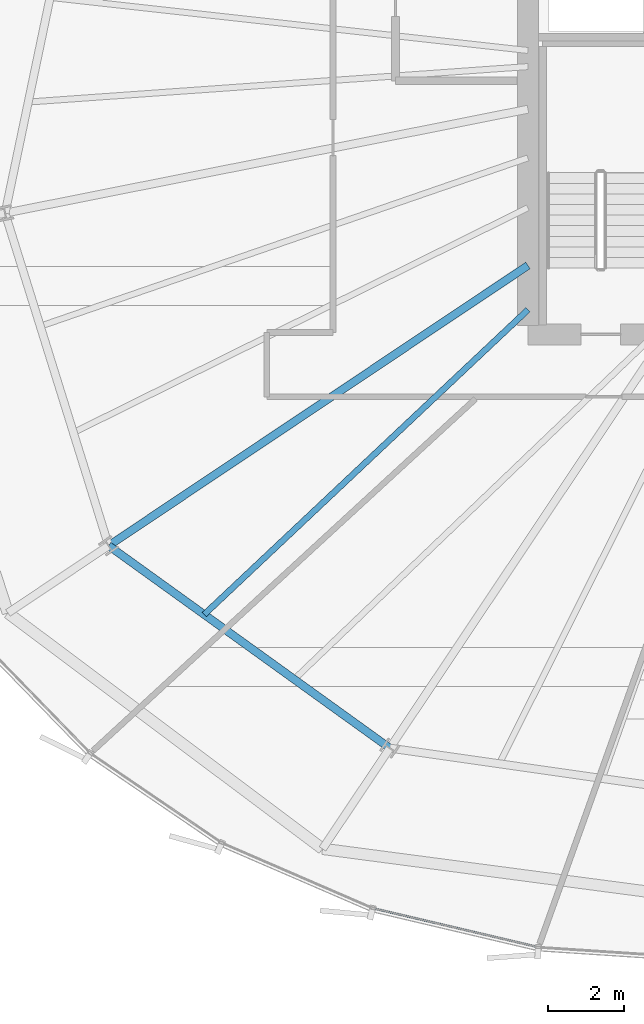
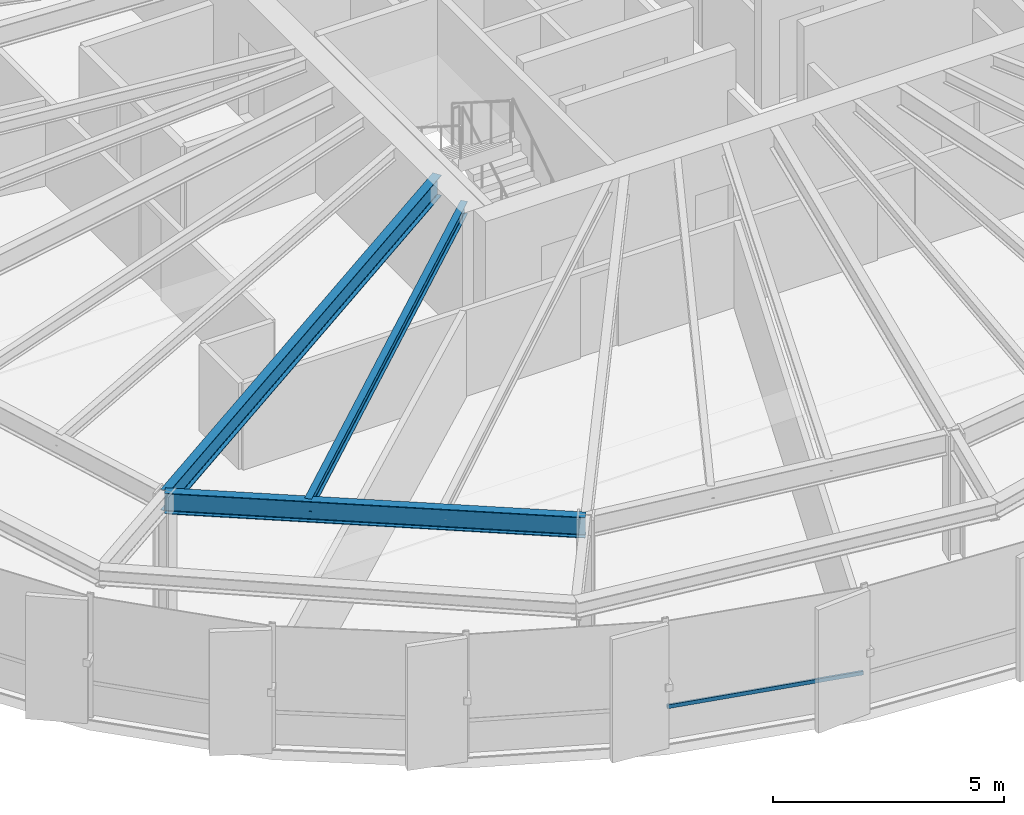
# One storey, part 4 of 35: 3 beams, 1 member, 1 element without a shape of its own.
"""IFC4 building model written with IfcOpenShell, lengths in metres."""

import ifcopenshell
import ifcopenshell.guid

model = None  # the IFC model being written
_history = None  # IfcOwnerHistory: only IFC2X3 demands one
_inside = {}  # id of a spatial element -> (the spatial element, [elements in it])
_under = {}  # id of a project, library or spatial element -> (it, [spatial elements below it])
_declared = {}  # id of a project -> (the project, [libraries it declares])
_typed = {}  # id of a type object -> (the type object, [elements of that type])
_made_of = {}  # id of a material, layer set ... -> (it, [elements and type objects made of it])


def new_model(schema):
    """Start an empty IFC model of exactly this schema.

    Asked for "IFC4X3", IfcOpenShell would pick the latest addendum, in which some entities
    have other attributes; the version numbers below select the first issue.
    IFC2X3 requires an IfcOwnerHistory on every rooted entity: one is made here for all.
    """
    global model, _history
    if schema == "IFC4X3":
        model = ifcopenshell.file(schema_version=(4, 3, 0, 0))
    else:
        model = ifcopenshell.file(schema=schema)
    _inside.clear()
    _under.clear()
    _declared.clear()
    _typed.clear()
    _made_of.clear()
    _history = None
    if model.schema == "IFC2X3":
        org = make("IfcOrganization", Name="unknown")
        user = make(
            "IfcPersonAndOrganization",
            ThePerson=make("IfcPerson", FamilyName="unknown"),
            TheOrganization=org,
        )
        app = make(
            "IfcApplication",
            ApplicationDeveloper=org,
            Version="unknown",
            ApplicationFullName="unknown",
            ApplicationIdentifier="unknown",
        )
        _history = make(
            "IfcOwnerHistory",
            OwningUser=user,
            OwningApplication=app,
            ChangeAction="ADDED",
            CreationDate=0,
        )
    return model


def make(cls, **values):
    """One entity of the class cls with the attributes given. An attribute that is None is left unset."""
    return model.create_entity(
        cls, **{name: value for name, value in values.items() if value is not None}
    )


def rooted(cls, **values):
    """An entity with a GlobalId (a new one), such as an element, a storey or a relation."""
    return make(cls, GlobalId=ifcopenshell.guid.new(), OwnerHistory=_history, **values)


def si_unit(unit_type, name, prefix=None):
    """IfcSIUnit, for example si_unit("LENGTHUNIT", "METRE", prefix="MILLI")."""
    return make("IfcSIUnit", UnitType=unit_type, Prefix=prefix, Name=name)


def assignment(units):
    """IfcUnitAssignment: the units of a project."""
    return None if units is None else make("IfcUnitAssignment", Units=units)


def point(xyz):
    """IfcCartesianPoint."""
    return None if xyz is None else make("IfcCartesianPoint", Coordinates=xyz)


def direction(xyz):
    """IfcDirection."""
    return None if xyz is None else make("IfcDirection", DirectionRatios=xyz)


def frame(location, z_axis=None, x_axis=None):
    """IfcAxis2Placement3D, a coordinate frame: its origin and axes. An axis left out is left unset."""
    return make(
        "IfcAxis2Placement3D",
        Location=point(location),
        Axis=direction(z_axis),
        RefDirection=direction(x_axis),
    )


def frame_2d(location, x_axis=None):
    """IfcAxis2Placement2D, a coordinate frame in the plane: its origin and x axis."""
    return make(
        "IfcAxis2Placement2D", Location=point(location), RefDirection=direction(x_axis)
    )


def origin():
    """The frame at (0, 0, 0) with its axes left unset."""
    return frame((0.0, 0.0, 0.0))


def origin_2d():
    """The frame at (0, 0) in the plane with its x axis left unset."""
    return frame_2d((0.0, 0.0))


def place(relative_to, where):
    """IfcLocalPlacement: puts the frame where relative to a parent placement (None: the world)."""
    return make(
        "IfcLocalPlacement", PlacementRelTo=relative_to, RelativePlacement=where
    )


def context(
    kind, dimensions, precision=None, world=None, true_north=None, identifier=None
):
    """IfcGeometricRepresentationContext, for example the 3D "Model" context."""
    return make(
        "IfcGeometricRepresentationContext",
        ContextIdentifier=identifier,
        ContextType=kind,
        CoordinateSpaceDimension=dimensions,
        Precision=precision,
        WorldCoordinateSystem=world,
        TrueNorth=true_north,
    )


def subcontext(parent, identifier, kind, view, scale=None):
    """IfcGeometricRepresentationSubContext, for example "Body" below "Model"."""
    return make(
        "IfcGeometricRepresentationSubContext",
        ContextIdentifier=identifier,
        ContextType=kind,
        ParentContext=parent,
        TargetScale=scale,
        TargetView=view,
    )


def project(units=None, contexts=None):
    """IfcProject with its units and contexts."""
    return rooted(
        "IfcProject",
        Name="project",
        RepresentationContexts=contexts,
        UnitsInContext=assignment(units),
    )


def spatial(cls, under=None, at=None, **own):
    """A site, building, storey or space (cls), placed at a placement, below another one or the project."""
    s = rooted(cls, ObjectPlacement=at, **own)
    if under is not None:
        _under.setdefault(under.id(), (under, []))[1].append(s)
    return s


def profile(cls, at=None, kind="AREA", **sizes):
    """A parametric profile (cls). Its sizes go by their IFC names, for example OverallWidth=200.0."""
    return make(cls, ProfileType=kind, Position=at, **sizes)


def hollow_rectangle(**sizes):
    """IfcRectangleHollowProfileDef."""
    return profile("IfcRectangleHollowProfileDef", **sizes)


def i_section(**sizes):
    """IfcIShapeProfileDef."""
    return profile("IfcIShapeProfileDef", **sizes)


def extrude(swept, where, along, depth):
    """IfcExtrudedAreaSolid: the profile swept, set in the frame where, extruded along a direction by depth."""
    return make(
        "IfcExtrudedAreaSolid",
        SweptArea=swept,
        Position=where,
        ExtrudedDirection=direction(along),
        Depth=depth,
    )


def shape(context_of_items, identifier, shape_type, items):
    """IfcShapeRepresentation: the items that make up one representation, for example the "Body"."""
    return make(
        "IfcShapeRepresentation",
        ContextOfItems=context_of_items,
        RepresentationIdentifier=identifier,
        RepresentationType=shape_type,
        Items=items,
    )


def source(mapping_origin, context_of_items, identifier, shape_type, items):
    """IfcRepresentationMap: a shape defined once, which mapped items show again and again."""
    return make(
        "IfcRepresentationMap",
        MappingOrigin=mapping_origin,
        MappedRepresentation=shape(context_of_items, identifier, shape_type, items),
    )


def transform(
    local_origin,
    x_axis=None,
    y_axis=None,
    z_axis=None,
    scale=None,
    scale2=None,
    scale3=None,
    uniform=True,
):
    """IfcCartesianTransformationOperator3D, or its non-uniform kind. x_axis, y_axis, z_axis: its Axis1, 2, 3."""
    if uniform:
        return make(
            "IfcCartesianTransformationOperator3D",
            Axis1=direction(x_axis),
            Axis2=direction(y_axis),
            LocalOrigin=point(local_origin),
            Scale=scale,
            Axis3=direction(z_axis),
        )
    return make(
        "IfcCartesianTransformationOperator3DnonUniform",
        Axis1=direction(x_axis),
        Axis2=direction(y_axis),
        LocalOrigin=point(local_origin),
        Scale=scale,
        Axis3=direction(z_axis),
        Scale2=scale2,
        Scale3=scale3,
    )


def mapped(mapping_source, mapping_target):
    """IfcMappedItem: shows the shape of a source again, moved by a transform."""
    return make(
        "IfcMappedItem", MappingSource=mapping_source, MappingTarget=mapping_target
    )


def material(Name=None, Category=None):
    """IfcMaterial."""
    return make("IfcMaterial", Name=Name, Category=Category)


def layer(
    of_material, thickness, ventilated=None, Name=None, Category=None, Priority=None
):
    """IfcMaterialLayer: one layer of a wall or slab, of a material (None: an air gap)."""
    return make(
        "IfcMaterialLayer",
        Material=of_material,
        LayerThickness=thickness,
        IsVentilated=ventilated,
        Name=Name,
        Category=Category,
        Priority=Priority,
    )


def layer_set(layers, Name=None):
    """IfcMaterialLayerSet."""
    return make("IfcMaterialLayerSet", MaterialLayers=layers, LayerSetName=Name)


def material_profile(
    of_material, cross_section, Name=None, Category=None, Priority=None
):
    """IfcMaterialProfile: a cross section and its material."""
    return make(
        "IfcMaterialProfile",
        Name=Name,
        Material=of_material,
        Profile=cross_section,
        Priority=Priority,
        Category=Category,
    )


def profile_set(profiles, Name=None, composite=None):
    """IfcMaterialProfileSet."""
    return make(
        "IfcMaterialProfileSet",
        Name=Name,
        MaterialProfiles=profiles,
        CompositeProfile=composite,
    )


def made_of(thing, what):
    """Note that an element or type object is made of a material, layer set ...; save() writes the relation."""
    if what is not None:
        _made_of.setdefault(what.id(), (what, []))[1].append(thing)
    return thing


def type_object(cls, material=None, **own):
    """A type object (cls), such as IfcWallType, which elements share."""
    return made_of(rooted(cls, **own), material)


def element(
    cls,
    number,
    at=None,
    inside=None,
    cuts=None,
    type_object=None,
    material=None,
    context=None,
    identifier="Body",
    shape_type=None,
    held_by="IfcProductDefinitionShape",
    body=None,
    shapes=None,
    **own,
):
    """One element of the class cls, such as IfcWall. Its Tag is "e" and its number.

    at: its placement. inside: the storey or other place that contains it. cuts: it is an
    opening in that element (IfcRelVoidsElement). A single representation is given by context,
    identifier, shape_type and body (its items); several are given by shapes. held_by: the class
    of the entity that holds the representations. save() writes the other relations.
    """
    e = rooted(cls, Tag="e%d" % number, ObjectPlacement=at, **own)
    if body is not None:
        shapes = [shape(context, identifier, shape_type, body)]
    if shapes is not None:
        e.Representation = make(held_by, Representations=shapes)
    if inside is not None:
        _inside.setdefault(inside.id(), (inside, []))[1].append(e)
    if cuts is not None:
        rooted(
            "IfcRelVoidsElement", RelatingBuildingElement=cuts, RelatedOpeningElement=e
        )
    if type_object is not None:
        _typed.setdefault(type_object.id(), (type_object, []))[1].append(e)
    return made_of(e, material)


def aggregate(whole, parts):
    """IfcRelAggregates: a whole, such as a stair, and the parts it consists of."""
    return rooted("IfcRelAggregates", RelatingObject=whole, RelatedObjects=parts)


def save(model, path):
    """Write the relations noted so far, then the file.

    IfcRelAggregates (storeys below a building ...), IfcRelContainedInSpatialStructure (elements
    in a storey), IfcRelDefinesByType, IfcRelAssociatesMaterial and IfcRelDeclares: one each for
    every whole, place, type object, material and project.
    """
    for whole, parts in _under.values():
        aggregate(whole, parts)
    for where, things in _inside.values():
        rooted(
            "IfcRelContainedInSpatialStructure",
            RelatedElements=things,
            RelatingStructure=where,
        )
    for kind, things in _typed.values():
        rooted("IfcRelDefinesByType", RelatedObjects=things, RelatingType=kind)
    for what, things in _made_of.values():
        rooted("IfcRelAssociatesMaterial", RelatedObjects=things, RelatingMaterial=what)
    for by, libraries in _declared.values():
        rooted("IfcRelDeclares", RelatingContext=by, RelatedDefinitions=libraries)
    model.write(path)


model = new_model("IFC4")

# Units and contexts
model_context = context("Model", 3, precision=1e-05, world=origin(), true_north=direction((0.0, 1.0)))
body_context = subcontext(model_context, "Body", "Model", "MODEL_VIEW")
ifc_project = project(units=[si_unit("LENGTHUNIT", "METRE"), si_unit("AREAUNIT", "SQUARE_METRE"), si_unit("VOLUMEUNIT", "CUBIC_METRE"), si_unit("PLANEANGLEUNIT", "RADIAN"), si_unit("MASSUNIT", "GRAM", prefix="KILO"), si_unit("THERMODYNAMICTEMPERATUREUNIT", "KELVIN")], contexts=[model_context])

# Site, building, storey
site_placement = place(None, origin())
site = spatial("IfcSite", under=ifc_project, at=site_placement, CompositionType="ELEMENT")
building_placement = place(site_placement, origin())
building = spatial("IfcBuilding", under=site, at=building_placement, Name="Kethvar Cultural Tower", CompositionType="ELEMENT")
storey_placement = place(building_placement, frame((0.0, 0.0, 139.449951171875)))
storey = spatial("IfcBuildingStorey", under=building, at=storey_placement, Name="L35", CompositionType="ELEMENT", Elevation=139.449951171875)

# Beams
ifc_material_1 = material(Name="Steel S355J2", Category="steel")
ifc_material_profile_1 = material_profile(ifc_material_1, i_section(OverallWidth=0.2099609375, OverallDepth=0.550048828125, WebThickness=0.010986328125, FlangeThickness=0.01708984375, FilletRadius=0.02392578125, at=origin_2d()), Name="Steel S355J2 — IPE550")
ifc_profile_set_1 = profile_set([ifc_material_profile_1], Name="Steel S355J2 — IPE550")
beam_type_1 = type_object("IfcBeamType", Name="BM-IPE550", PredefinedType="BEAM", material=ifc_profile_set_1)
shared_shape_1 = source(origin(), body_context, "Body", "SweptSolid", [
    extrude(i_section(OverallWidth=0.2099609375, OverallDepth=0.550048828125, WebThickness=0.010986328125, FlangeThickness=0.01708984375, FilletRadius=0.02392578125, at=origin_2d()), origin(), (0.0, 0.0, 1.0), 13.324951171875),
])
beam_1_placement = place(storey_placement, frame((38.0, 21.919921875, 3.02294921875), z_axis=(-0.831474815475, -0.555562445843, 0.0), x_axis=(0.555562445843, -0.831474815475, 0.0)))
element("IfcBeam", 1, at=beam_1_placement, inside=storey, type_object=beam_type_1, Name="L35 Primary Radial Beam RB-10", PredefinedType="BEAM", context=body_context, shape_type="MappedRepresentation", body=[
    mapped(shared_shape_1, transform((0.0, 0.0, 0.0), scale=1.0)),
])
shared_shape_2 = source(origin(), body_context, "Body", "SweptSolid", [
    extrude(i_section(OverallWidth=0.2099609375, OverallDepth=0.550048828125, WebThickness=0.010986328125, FlangeThickness=0.01708984375, FilletRadius=0.02392578125, at=origin_2d()), origin(), (0.0, 0.0, 1.0), 9.155029296875),
])
beam_2_placement = place(storey_placement, frame((26.920654296875, 14.51708984375, 3.02294921875), z_axis=(0.811590987974, -0.584226042076, 0.0), x_axis=(0.584226042076, 0.811590987974, 0.0)))
element("IfcBeam", 2, at=beam_2_placement, inside=storey, type_object=beam_type_1, Name="L35 Column Ring Tie Beam CR-10", PredefinedType="BEAM", context=body_context, shape_type="MappedRepresentation", body=[
    mapped(shared_shape_2, transform((0.0, 0.0, 0.0), scale=1.0)),
])
ifc_material_profile_2 = material_profile(ifc_material_1, i_section(OverallWidth=0.159912109375, OverallDepth=0.330078125, WebThickness=0.007568359375, FlangeThickness=0.011474609375, FilletRadius=0.01806640625, at=origin_2d()), Name="Steel S355J2 — IPE330")
ifc_profile_set_2 = profile_set([ifc_material_profile_2], Name="Steel S355J2 — IPE330")
beam_type_2 = type_object("IfcBeamType", Name="BM-J330", PredefinedType="JOIST", material=ifc_profile_set_2)
shared_shape_3 = source(origin(), body_context, "Body", "SweptSolid", [
    extrude(i_section(OverallWidth=0.159912109375, OverallDepth=0.330078125, WebThickness=0.007568359375, FlangeThickness=0.011474609375, FilletRadius=0.01806640625, at=origin_2d()), origin(), (0.0, 0.0, 1.0), 11.74658203125),
])
beam_3_placement = place(storey_placement, frame((38.0, 20.75, 3.133056640625), z_axis=(-0.728129818661, -0.685439251266, 0.0), x_axis=(0.685439251266, -0.728129818661, 0.0)))
element("IfcBeam", 3, at=beam_3_placement, inside=storey, type_object=beam_type_2, Name="L35 Composite Floor Joist J-10A", PredefinedType="JOIST", context=body_context, shape_type="MappedRepresentation", body=[
    mapped(shared_shape_3, transform((0.0, 0.0, 0.0), scale=1.0)),
])

# Curtain wall, member
ifc_material_2 = material(Name="Aluminium 6063-T6", Category="aluminium")
ifc_layer = layer(ifc_material_2, 0.179931640625, Name="Aluminium 6063-T6", Category="aluminium")
ifc_layer_set = layer_set([ifc_layer], Name="Aluminium 6063-T6 (180 mm)")
curtain_wall_type = type_object("IfcCurtainWallType", Name="CW-SYS-04-Z34", PredefinedType="NOTDEFINED", material=ifc_layer_set)
curtain_wall_placement = place(storey_placement, origin())
curtain_wall = element("IfcCurtainWall", 4, at=curtain_wall_placement, inside=storey, type_object=curtain_wall_type, Name="L35 Curtain Wall Run 04", PredefinedType="NOTDEFINED")
ifc_material_profile_3 = material_profile(ifc_material_2, hollow_rectangle(XDim=0.050048828125, YDim=0.10009765625, WallThickness=0.00390625, at=origin_2d()), Name="Aluminium 6063-T6 — RHS100x50x4")
ifc_profile_set_3 = profile_set([ifc_material_profile_3], Name="Aluminium 6063-T6 — RHS100x50x4")
member_type = type_object("IfcMemberType", Name="CW-SYS-04-Z34-TRN", PredefinedType="USERDEFINED", material=ifc_profile_set_3)
shared_shape_4 = source(origin(), body_context, "Body", "SweptSolid", [
    extrude(hollow_rectangle(XDim=0.050048828125, YDim=0.10009765625, WallThickness=0.00390625, at=origin_2d()), origin(), (0.0, 0.0, 1.0), 4.431640625),
])
member_placement = place(storey_placement, frame((33.93798828125, 4.929931640625, 0.949951171875), z_axis=(0.973409942748, -0.229070040293, 0.0), x_axis=(0.229070040293, 0.973409942748, 0.0)))
member = element("IfcMember", 5, at=member_placement, type_object=member_type, Name="CW-L35-R04 Transom 5", ObjectType="TRANSOM", PredefinedType="USERDEFINED", context=body_context, shape_type="MappedRepresentation", body=[
    mapped(shared_shape_4, transform((0.0, 0.0, 0.0), scale=1.0)),
])
aggregate(curtain_wall, [member])

save(model, "model.ifc")
